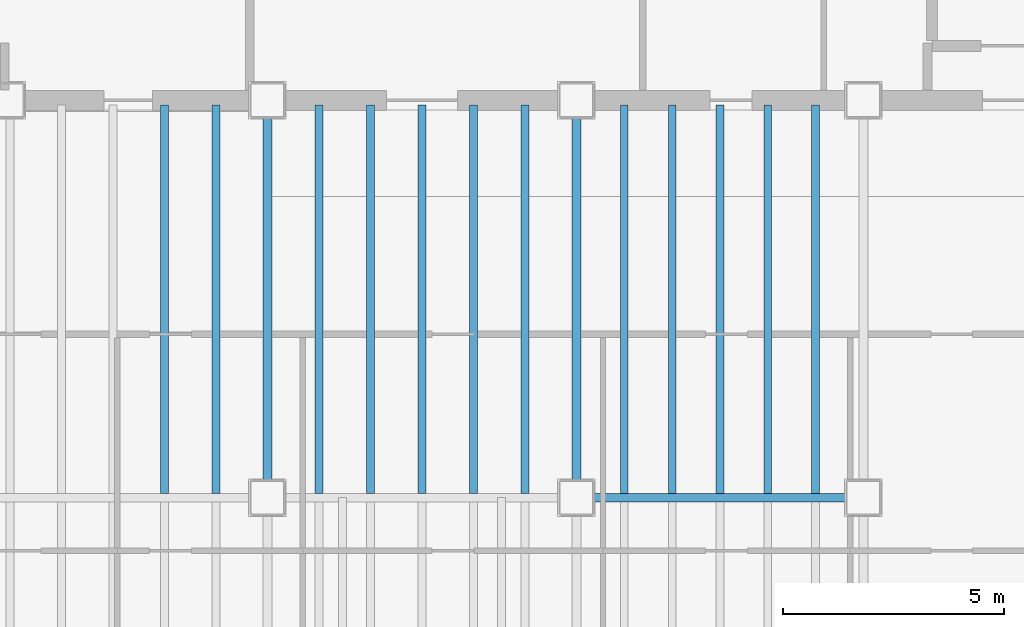
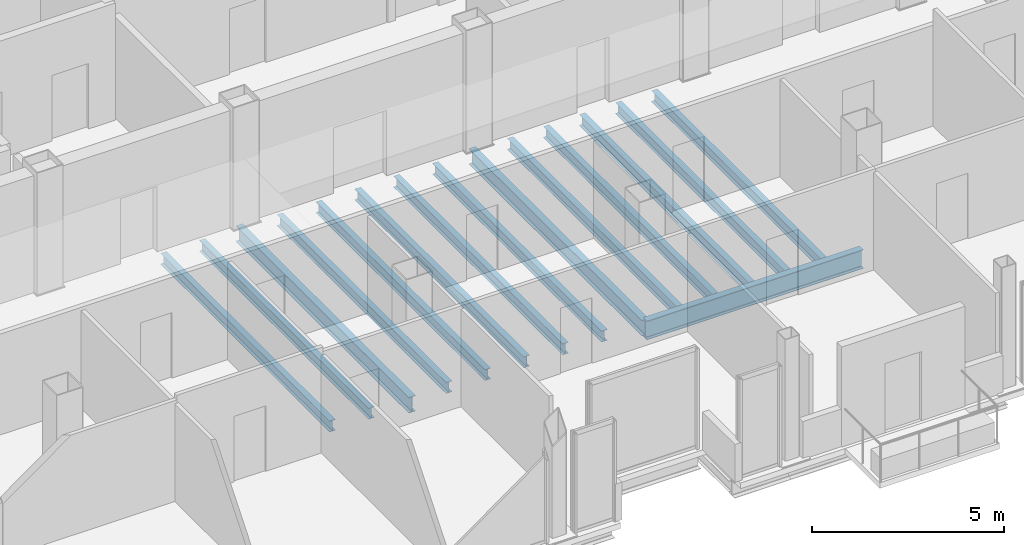
# One storey, part 7 of 17: 15 beams.
"""IFC4 building model written with IfcOpenShell, lengths in metres."""

import ifcopenshell
import ifcopenshell.guid

model = None  # the IFC model being written
_history = None  # IfcOwnerHistory: only IFC2X3 demands one
_inside = {}  # id of a spatial element -> (the spatial element, [elements in it])
_under = {}  # id of a project, library or spatial element -> (it, [spatial elements below it])
_declared = {}  # id of a project -> (the project, [libraries it declares])
_typed = {}  # id of a type object -> (the type object, [elements of that type])
_made_of = {}  # id of a material, layer set ... -> (it, [elements and type objects made of it])


def new_model(schema):
    """Start an empty IFC model of exactly this schema.

    Asked for "IFC4X3", IfcOpenShell would pick the latest addendum, in which some entities
    have other attributes; the version numbers below select the first issue.
    IFC2X3 requires an IfcOwnerHistory on every rooted entity: one is made here for all.
    """
    global model, _history
    if schema == "IFC4X3":
        model = ifcopenshell.file(schema_version=(4, 3, 0, 0))
    else:
        model = ifcopenshell.file(schema=schema)
    _inside.clear()
    _under.clear()
    _declared.clear()
    _typed.clear()
    _made_of.clear()
    _history = None
    if model.schema == "IFC2X3":
        org = make("IfcOrganization", Name="unknown")
        user = make(
            "IfcPersonAndOrganization",
            ThePerson=make("IfcPerson", FamilyName="unknown"),
            TheOrganization=org,
        )
        app = make(
            "IfcApplication",
            ApplicationDeveloper=org,
            Version="unknown",
            ApplicationFullName="unknown",
            ApplicationIdentifier="unknown",
        )
        _history = make(
            "IfcOwnerHistory",
            OwningUser=user,
            OwningApplication=app,
            ChangeAction="ADDED",
            CreationDate=0,
        )
    return model


def make(cls, **values):
    """One entity of the class cls with the attributes given. An attribute that is None is left unset."""
    return model.create_entity(
        cls, **{name: value for name, value in values.items() if value is not None}
    )


def rooted(cls, **values):
    """An entity with a GlobalId (a new one), such as an element, a storey or a relation."""
    return make(cls, GlobalId=ifcopenshell.guid.new(), OwnerHistory=_history, **values)


def si_unit(unit_type, name, prefix=None):
    """IfcSIUnit, for example si_unit("LENGTHUNIT", "METRE", prefix="MILLI")."""
    return make("IfcSIUnit", UnitType=unit_type, Prefix=prefix, Name=name)


def assignment(units):
    """IfcUnitAssignment: the units of a project."""
    return None if units is None else make("IfcUnitAssignment", Units=units)


def point(xyz):
    """IfcCartesianPoint."""
    return None if xyz is None else make("IfcCartesianPoint", Coordinates=xyz)


def direction(xyz):
    """IfcDirection."""
    return None if xyz is None else make("IfcDirection", DirectionRatios=xyz)


def frame(location, z_axis=None, x_axis=None):
    """IfcAxis2Placement3D, a coordinate frame: its origin and axes. An axis left out is left unset."""
    return make(
        "IfcAxis2Placement3D",
        Location=point(location),
        Axis=direction(z_axis),
        RefDirection=direction(x_axis),
    )


def frame_2d(location, x_axis=None):
    """IfcAxis2Placement2D, a coordinate frame in the plane: its origin and x axis."""
    return make(
        "IfcAxis2Placement2D", Location=point(location), RefDirection=direction(x_axis)
    )


def origin():
    """The frame at (0, 0, 0) with its axes left unset."""
    return frame((0.0, 0.0, 0.0))


def origin_2d():
    """The frame at (0, 0) in the plane with its x axis left unset."""
    return frame_2d((0.0, 0.0))


def place(relative_to, where):
    """IfcLocalPlacement: puts the frame where relative to a parent placement (None: the world)."""
    return make(
        "IfcLocalPlacement", PlacementRelTo=relative_to, RelativePlacement=where
    )


def context(
    kind, dimensions, precision=None, world=None, true_north=None, identifier=None
):
    """IfcGeometricRepresentationContext, for example the 3D "Model" context."""
    return make(
        "IfcGeometricRepresentationContext",
        ContextIdentifier=identifier,
        ContextType=kind,
        CoordinateSpaceDimension=dimensions,
        Precision=precision,
        WorldCoordinateSystem=world,
        TrueNorth=true_north,
    )


def subcontext(parent, identifier, kind, view, scale=None):
    """IfcGeometricRepresentationSubContext, for example "Body" below "Model"."""
    return make(
        "IfcGeometricRepresentationSubContext",
        ContextIdentifier=identifier,
        ContextType=kind,
        ParentContext=parent,
        TargetScale=scale,
        TargetView=view,
    )


def project(units=None, contexts=None):
    """IfcProject with its units and contexts."""
    return rooted(
        "IfcProject",
        Name="project",
        RepresentationContexts=contexts,
        UnitsInContext=assignment(units),
    )


def spatial(cls, under=None, at=None, **own):
    """A site, building, storey or space (cls), placed at a placement, below another one or the project."""
    s = rooted(cls, ObjectPlacement=at, **own)
    if under is not None:
        _under.setdefault(under.id(), (under, []))[1].append(s)
    return s


def profile(cls, at=None, kind="AREA", **sizes):
    """A parametric profile (cls). Its sizes go by their IFC names, for example OverallWidth=200.0."""
    return make(cls, ProfileType=kind, Position=at, **sizes)


def i_section(**sizes):
    """IfcIShapeProfileDef."""
    return profile("IfcIShapeProfileDef", **sizes)


def extrude(swept, where, along, depth):
    """IfcExtrudedAreaSolid: the profile swept, set in the frame where, extruded along a direction by depth."""
    return make(
        "IfcExtrudedAreaSolid",
        SweptArea=swept,
        Position=where,
        ExtrudedDirection=direction(along),
        Depth=depth,
    )


def shape(context_of_items, identifier, shape_type, items):
    """IfcShapeRepresentation: the items that make up one representation, for example the "Body"."""
    return make(
        "IfcShapeRepresentation",
        ContextOfItems=context_of_items,
        RepresentationIdentifier=identifier,
        RepresentationType=shape_type,
        Items=items,
    )


def material(Name=None, Category=None):
    """IfcMaterial."""
    return make("IfcMaterial", Name=Name, Category=Category)


def material_profile(
    of_material, cross_section, Name=None, Category=None, Priority=None
):
    """IfcMaterialProfile: a cross section and its material."""
    return make(
        "IfcMaterialProfile",
        Name=Name,
        Material=of_material,
        Profile=cross_section,
        Priority=Priority,
        Category=Category,
    )


def profile_set(profiles, Name=None, composite=None):
    """IfcMaterialProfileSet."""
    return make(
        "IfcMaterialProfileSet",
        Name=Name,
        MaterialProfiles=profiles,
        CompositeProfile=composite,
    )


def made_of(thing, what):
    """Note that an element or type object is made of a material, layer set ...; save() writes the relation."""
    if what is not None:
        _made_of.setdefault(what.id(), (what, []))[1].append(thing)
    return thing


def type_object(cls, material=None, **own):
    """A type object (cls), such as IfcWallType, which elements share."""
    return made_of(rooted(cls, **own), material)


def element(
    cls,
    number,
    at=None,
    inside=None,
    cuts=None,
    type_object=None,
    material=None,
    context=None,
    identifier="Body",
    shape_type=None,
    held_by="IfcProductDefinitionShape",
    body=None,
    shapes=None,
    **own,
):
    """One element of the class cls, such as IfcWall. Its Tag is "e" and its number.

    at: its placement. inside: the storey or other place that contains it. cuts: it is an
    opening in that element (IfcRelVoidsElement). A single representation is given by context,
    identifier, shape_type and body (its items); several are given by shapes. held_by: the class
    of the entity that holds the representations. save() writes the other relations.
    """
    e = rooted(cls, Tag="e%d" % number, ObjectPlacement=at, **own)
    if body is not None:
        shapes = [shape(context, identifier, shape_type, body)]
    if shapes is not None:
        e.Representation = make(held_by, Representations=shapes)
    if inside is not None:
        _inside.setdefault(inside.id(), (inside, []))[1].append(e)
    if cuts is not None:
        rooted(
            "IfcRelVoidsElement", RelatingBuildingElement=cuts, RelatedOpeningElement=e
        )
    if type_object is not None:
        _typed.setdefault(type_object.id(), (type_object, []))[1].append(e)
    return made_of(e, material)


def aggregate(whole, parts):
    """IfcRelAggregates: a whole, such as a stair, and the parts it consists of."""
    return rooted("IfcRelAggregates", RelatingObject=whole, RelatedObjects=parts)


def save(model, path):
    """Write the relations noted so far, then the file.

    IfcRelAggregates (storeys below a building ...), IfcRelContainedInSpatialStructure (elements
    in a storey), IfcRelDefinesByType, IfcRelAssociatesMaterial and IfcRelDeclares: one each for
    every whole, place, type object, material and project.
    """
    for whole, parts in _under.values():
        aggregate(whole, parts)
    for where, things in _inside.values():
        rooted(
            "IfcRelContainedInSpatialStructure",
            RelatedElements=things,
            RelatingStructure=where,
        )
    for kind, things in _typed.values():
        rooted("IfcRelDefinesByType", RelatedObjects=things, RelatingType=kind)
    for what, things in _made_of.values():
        rooted("IfcRelAssociatesMaterial", RelatedObjects=things, RelatingMaterial=what)
    for by, libraries in _declared.values():
        rooted("IfcRelDeclares", RelatingContext=by, RelatedDefinitions=libraries)
    model.write(path)


model = new_model("IFC4")

# Units and contexts
model_context = context("Model", 3, precision=1e-05, world=origin(), true_north=direction((0.0, 1.0)))
body_context = subcontext(model_context, "Body", "Model", "MODEL_VIEW")
ifc_project = project(units=[si_unit("LENGTHUNIT", "METRE"), si_unit("AREAUNIT", "SQUARE_METRE"), si_unit("VOLUMEUNIT", "CUBIC_METRE"), si_unit("PLANEANGLEUNIT", "RADIAN"), si_unit("MASSUNIT", "GRAM", prefix="KILO")], contexts=[model_context])

# Site, building, storey
site_placement = place(None, origin())
site = spatial("IfcSite", under=ifc_project, at=site_placement, CompositionType="ELEMENT")
building_placement = place(site_placement, origin())
building = spatial("IfcBuilding", under=site, at=building_placement, Name="Noeulbin Bourse Tower", CompositionType="ELEMENT")
storey_placement = place(building_placement, frame((0.0, 0.0, 250.10009765625)))
storey = spatial("IfcBuildingStorey", under=building, at=storey_placement, Name="L62", CompositionType="ELEMENT", Elevation=250.10009765625)

# Beams
ifc_material = material(Name="Steel S355", Category="steel")
ifc_material_profile_1 = material_profile(ifc_material, i_section(OverallWidth=0.199951171875, OverallDepth=0.5, WebThickness=0.010009765625, FlangeThickness=0.01611328125, FilletRadius=0.02001953125, at=origin_2d()), Name="H-500x200x10x16", Category="LoadBearing")
ifc_profile_set_1 = profile_set([ifc_material_profile_1], Name="Steel S355")
beam_type_1 = type_object("IfcBeamType", Name="BM-GRD-500", PredefinedType="USERDEFINED", material=ifc_profile_set_1)
for number, where, z_axis, x_axis, name in (
    (1, (24.0, 20.0, -0.43017578125), (0.0, 1.0, 0.0), (-1.0, 0.0, 0.0), "Tower Primary Girder NS L62-2.2"),
    (2, (31.0, 20.0, -0.43017578125), (0.0, 1.0, 0.0), (-1.0, 0.0, 0.0), "Tower Primary Girder NS L62-3.2"),
):
    element("IfcBeam", number, at=place(storey_placement, frame(where, z_axis=z_axis, x_axis=x_axis)), inside=storey, type_object=beam_type_1, Name=name, ObjectType="GIRDER", PredefinedType="USERDEFINED", context=body_context, shape_type="SweptSolid", body=[
        extrude(i_section(OverallWidth=0.199951171875, OverallDepth=0.5, WebThickness=0.010009765625, FlangeThickness=0.01611328125, FilletRadius=0.02001953125, at=origin_2d()), origin(), (0.0, 0.0, 1.0), 9.0),
    ])
ifc_material_profile_2 = material_profile(ifc_material, i_section(OverallWidth=0.199951171875, OverallDepth=0.60009765625, WebThickness=0.010986328125, FlangeThickness=0.01708984375, FilletRadius=0.02197265625, at=origin_2d()), Name="H-600x200x11x17", Category="LoadBearing")
ifc_profile_set_2 = profile_set([ifc_material_profile_2], Name="Steel S355")
beam_type_2 = type_object("IfcBeamType", Name="BM-GRD-600", PredefinedType="USERDEFINED", material=ifc_profile_set_2)
beam_placement = place(storey_placement, frame((31.0, 20.0, -0.47998046875), z_axis=(1.0, 0.0, 0.0), x_axis=(0.0, 1.0, 0.0)))
element("IfcBeam", 3, at=beam_placement, inside=storey, type_object=beam_type_2, Name="Tower Primary Girder EW L62-1.4", ObjectType="GIRDER", PredefinedType="USERDEFINED", context=body_context, shape_type="SweptSolid", body=[
    extrude(i_section(OverallWidth=0.199951171875, OverallDepth=0.60009765625, WebThickness=0.010986328125, FlangeThickness=0.01708984375, FilletRadius=0.02197265625, at=origin_2d()), origin(), (0.0, 0.0, 1.0), 6.5),
])
ifc_material_profile_3 = material_profile(ifc_material, i_section(OverallWidth=0.175048828125, OverallDepth=0.35009765625, WebThickness=0.007080078125, FlangeThickness=0.010986328125, FilletRadius=0.013916015625, at=origin_2d()), Name="H-350x175x7x11", Category="LoadBearing")
ifc_profile_set_3 = profile_set([ifc_material_profile_3], Name="Steel S355")
beam_type_3 = type_object("IfcBeamType", Name="BM-JST-350", PredefinedType="JOIST", material=ifc_profile_set_3)
for number, where, z_axis, x_axis, name in (
    (4, (21.666748046875, 20.10009765625, -0.35498046875), (0.0, 1.0, 0.0), (-1.0, 0.0, 0.0), "Tower Composite Joist L62-14"),
    (5, (22.833251953125, 20.10009765625, -0.35498046875), (0.0, 1.0, 0.0), (-1.0, 0.0, 0.0), "Tower Composite Joist L62-16"),
    (6, (25.166748046875, 20.10009765625, -0.35498046875), (0.0, 1.0, 0.0), (-1.0, 0.0, 0.0), "Tower Composite Joist L62-18"),
    (7, (26.333251953125, 20.10009765625, -0.35498046875), (0.0, 1.0, 0.0), (-1.0, 0.0, 0.0), "Tower Composite Joist L62-20"),
    (8, (27.5, 20.10009765625, -0.35498046875), (0.0, 1.0, 0.0), (-1.0, 0.0, 0.0), "Tower Composite Joist L62-22"),
    (9, (28.666748046875, 20.10009765625, -0.35498046875), (0.0, 1.0, 0.0), (-1.0, 0.0, 0.0), "Tower Composite Joist L62-24"),
    (10, (29.833251953125, 20.10009765625, -0.35498046875), (0.0, 1.0, 0.0), (-1.0, 0.0, 0.0), "Tower Composite Joist L62-26"),
    (11, (32.083251953125, 20.10009765625, -0.35498046875), (0.0, 1.0, 0.0), (-1.0, 0.0, 0.0), "Tower Composite Joist L62-28"),
    (12, (33.166748046875, 20.10009765625, -0.35498046875), (0.0, 1.0, 0.0), (-1.0, 0.0, 0.0), "Tower Composite Joist L62-30"),
    (13, (34.25, 20.10009765625, -0.35498046875), (0.0, 1.0, 0.0), (-1.0, 0.0, 0.0), "Tower Composite Joist L62-32"),
    (14, (35.333251953125, 20.10009765625, -0.35498046875), (0.0, 1.0, 0.0), (-1.0, 0.0, 0.0), "Tower Composite Joist L62-34"),
    (15, (36.416748046875, 20.10009765625, -0.35498046875), (0.0, 1.0, 0.0), (-1.0, 0.0, 0.0), "Tower Composite Joist L62-36"),
):
    element("IfcBeam", number, at=place(storey_placement, frame(where, z_axis=z_axis, x_axis=x_axis)), inside=storey, type_object=beam_type_3, Name=name, PredefinedType="JOIST", context=body_context, shape_type="SweptSolid", body=[
        extrude(i_section(OverallWidth=0.175048828125, OverallDepth=0.35009765625, WebThickness=0.007080078125, FlangeThickness=0.010986328125, FilletRadius=0.013916015625, at=origin_2d()), origin(), (0.0, 0.0, 1.0), 8.7998046875),
    ])

save(model, "model.ifc")
